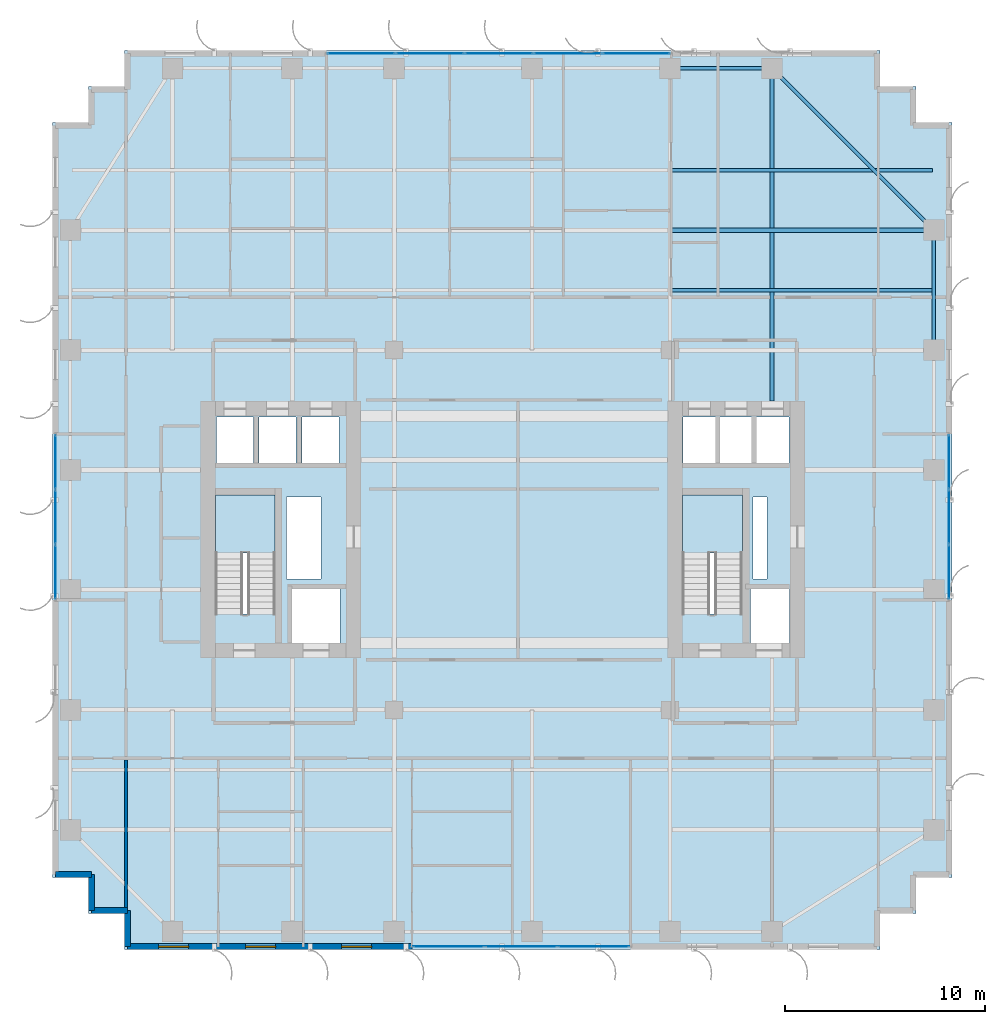
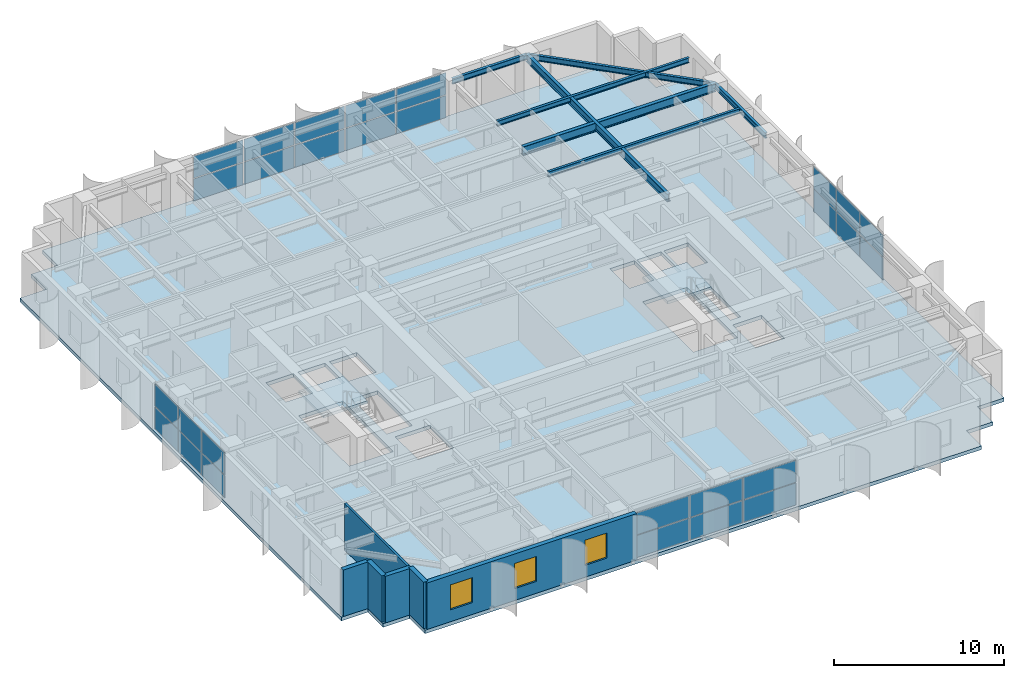
# One storey, part 13 of 21: 28 plates, 7 beams, 6 walls, 3 slabs, 3 windows, 3 openings, 6 elements without a shape of their own.
"""IFC4 building model written with IfcOpenShell, lengths in metres."""

from ifc_helpers import new_model, si_unit, direction, frame, frame_2d, origin, origin_2d, place, context, subcontext, project, spatial, polyline, rectangle, i_section, outline, extrude, source, transform, mapped, material, layer, layer_set, material_profile, profile_set, type_object, element, fill, aggregate, save


model = new_model("IFC4")

# Units and contexts
model_context = context("Model", 3, precision=1e-05, world=origin(), true_north=direction((0.0, 1.0)))
body_context = subcontext(model_context, "Body", "Model", "MODEL_VIEW")
ifc_project = project(units=[si_unit("LENGTHUNIT", "METRE"), si_unit("AREAUNIT", "SQUARE_METRE"), si_unit("VOLUMEUNIT", "CUBIC_METRE"), si_unit("PLANEANGLEUNIT", "RADIAN"), si_unit("MASSUNIT", "GRAM", prefix="KILO")], contexts=[model_context])

# Site, building, storey
site_placement = place(None, origin())
site = spatial("IfcSite", under=ifc_project, at=site_placement, CompositionType="ELEMENT")
building_placement = place(site_placement, origin())
building = spatial("IfcBuilding", under=site, at=building_placement, Name="Khoralis Quay Care Tower", CompositionType="ELEMENT")
storey_placement = place(building_placement, frame((0.0, 0.0, 112.5)))
storey = spatial("IfcBuildingStorey", under=building, at=storey_placement, Name="L29", CompositionType="ELEMENT", Elevation=112.5)

# Beams
ifc_material_1 = material(Name="Steel S355", Category="steel")
ifc_material_profile_1 = material_profile(ifc_material_1, i_section(OverallWidth=0.179931640625, OverallDepth=0.39990234375, WebThickness=0.008544921875, FlangeThickness=0.013427734375, FilletRadius=0.02099609375, at=origin_2d()), Name="Steel S355")
ifc_profile_set_1 = profile_set([ifc_material_profile_1], Name="Steel S355")
beam_type_1 = type_object("IfcBeamType", Name="BM-IPE400", PredefinedType="SPANDREL", material=ifc_profile_set_1)
shared_shape_1 = source(origin(), body_context, "Body", "SweptSolid", [
    extrude(i_section(OverallWidth=0.179931640625, OverallDepth=0.39990234375, WebThickness=0.008544921875, FlangeThickness=0.013427734375, FilletRadius=0.02099609375, at=origin_2d()), origin(), (0.0, 0.0, 1.0), 6.0),
])
beam_1_placement = place(storey_placement, frame((44.10009765625, 30.0, 3.139892578125), z_axis=(0.0, 1.0, 0.0), x_axis=(-1.0, 0.0, 0.0)))
element("IfcBeam", 1, at=beam_1_placement, inside=storey, type_object=beam_type_1, Name="BM-TSP-L29-20", PredefinedType="SPANDREL", context=body_context, shape_type="MappedRepresentation", body=[
    mapped(shared_shape_1, transform((0.0, 0.0, 0.0), scale=1.0)),
])
shared_shape_2 = source(origin(), body_context, "Body", "SweptSolid", [
    extrude(i_section(OverallWidth=0.179931640625, OverallDepth=0.39990234375, WebThickness=0.008544921875, FlangeThickness=0.013427734375, FilletRadius=0.02099609375, at=origin_2d()), origin(), (0.0, 0.0, 1.0), 5.10009765625),
])
beam_2_placement = place(storey_placement, frame((30.89990234375, 44.10009765625, 3.139892578125), z_axis=(1.0, 0.0, 0.0), x_axis=(0.0, 1.0, 0.0)))
element("IfcBeam", 2, at=beam_2_placement, inside=storey, type_object=beam_type_1, Name="BM-TSP-L29-10", PredefinedType="SPANDREL", context=body_context, shape_type="MappedRepresentation", body=[
    mapped(shared_shape_2, transform((0.0, 0.0, 0.0), scale=1.0)),
])
shared_shape_3 = source(origin(), body_context, "Body", "SweptSolid", [
    extrude(i_section(OverallWidth=0.179931640625, OverallDepth=0.39990234375, WebThickness=0.008544921875, FlangeThickness=0.013427734375, FilletRadius=0.02099609375, at=origin_2d()), origin(), (0.0, 0.0, 1.0), 11.455322265625),
])
beam_3_placement = place(storey_placement, frame((36.0, 44.10009765625, 3.139892578125), z_axis=(0.707106781187, -0.707106781187, 0.0), x_axis=(0.707106781187, 0.707106781187, 0.0)))
element("IfcBeam", 3, at=beam_3_placement, inside=storey, type_object=beam_type_1, Name="BM-TCR-L29-24", PredefinedType="SPANDREL", context=body_context, shape_type="MappedRepresentation", body=[
    mapped(shared_shape_3, transform((0.0, 0.0, 0.0), scale=1.0)),
])
ifc_material_profile_2 = material_profile(ifc_material_1, i_section(OverallWidth=0.22998046875, OverallDepth=0.616943359375, WebThickness=0.01318359375, FlangeThickness=0.022216796875, FilletRadius=0.01806640625, at=origin_2d()), Name="Steel S355")
ifc_profile_set_2 = profile_set([ifc_material_profile_2], Name="Steel S355")
beam_type_2 = type_object("IfcBeamType", Name="BM-W610X140", PredefinedType="BEAM", material=ifc_profile_set_2)
shared_shape_4 = source(origin(), body_context, "Body", "SweptSolid", [
    extrude(i_section(OverallWidth=0.22998046875, OverallDepth=0.616943359375, WebThickness=0.01318359375, FlangeThickness=0.022216796875, FilletRadius=0.01806640625, at=origin_2d()), origin(), (0.0, 0.0, 1.0), 13.106201171875),
])
beam_4_placement = place(storey_placement, frame((30.993896484375, 36.0, 3.031494140625), z_axis=(1.0, 0.0, 0.0), x_axis=(0.0, 1.0, 0.0)))
element("IfcBeam", 4, at=beam_4_placement, inside=storey, type_object=beam_type_2, Name="BM-TGXE-L29-360", PredefinedType="BEAM", context=body_context, shape_type="MappedRepresentation", body=[
    mapped(shared_shape_4, transform((0.0, 0.0, 0.0), scale=1.0)),
])
ifc_material_profile_3 = material_profile(ifc_material_1, i_section(OverallWidth=0.2119140625, OverallDepth=0.5439453125, WebThickness=0.01318359375, FlangeThickness=0.021240234375, FilletRadius=0.01611328125, at=origin_2d()), Name="Steel S355")
ifc_profile_set_3 = profile_set([ifc_material_profile_3], Name="Steel S355")
beam_type_3 = type_object("IfcBeamType", Name="BM-W530X123", PredefinedType="BEAM", material=ifc_profile_set_3)
shared_shape_5 = source(origin(), body_context, "Body", "SweptSolid", [
    extrude(i_section(OverallWidth=0.2119140625, OverallDepth=0.5439453125, WebThickness=0.01318359375, FlangeThickness=0.021240234375, FilletRadius=0.01611328125, at=origin_2d()), origin(), (0.0, 0.0, 1.0), 16.652099609375),
])
beam_5_placement = place(storey_placement, frame((36.0, 27.447998046875, 3.068115234375), z_axis=(0.0, 1.0, 0.0), x_axis=(-1.0, 0.0, 0.0)))
element("IfcBeam", 5, at=beam_5_placement, inside=storey, type_object=beam_type_3, Name="BM-TGYN-L29-360", PredefinedType="BEAM", context=body_context, shape_type="MappedRepresentation", body=[
    mapped(shared_shape_5, transform((0.0, 0.0, 0.0), scale=1.0)),
])
ifc_material_profile_4 = material_profile(ifc_material_1, i_section(OverallWidth=0.1708984375, OverallDepth=0.35498046875, WebThickness=0.007080078125, FlangeThickness=0.01171875, FilletRadius=0.012939453125, at=origin_2d()), Name="Steel S355")
ifc_profile_set_4 = profile_set([ifc_material_profile_4], Name="Steel S355")
beam_type_4 = type_object("IfcBeamType", Name="BM-W360X51", PredefinedType="JOIST", material=ifc_profile_set_4)
shared_shape_6 = source(origin(), body_context, "Body", "SweptSolid", [
    extrude(i_section(OverallWidth=0.1708984375, OverallDepth=0.35498046875, WebThickness=0.007080078125, FlangeThickness=0.01171875, FilletRadius=0.012939453125, at=origin_2d()), origin(), (0.0, 0.0, 1.0), 13.030029296875),
])
for number, where, z_axis, x_axis, name in (
    (6, (30.993896484375, 33.0, 3.16259765625), (1.0, 0.0, 0.0), (0.0, 1.0, 0.0), "BM-TJS-L29-29"),
    (7, (30.993896484375, 39.0, 3.16259765625), (1.0, 0.0, 0.0), (0.0, 1.0, 0.0), "BM-TJS-L29-32"),
):
    element("IfcBeam", number, at=place(storey_placement, frame(where, z_axis=z_axis, x_axis=x_axis)), inside=storey, type_object=beam_type_4, Name=name, PredefinedType="JOIST", context=body_context, shape_type="MappedRepresentation", body=[
        mapped(shared_shape_6, transform((0.0, 0.0, 0.0), scale=1.0)),
    ])

# Stair, slab
ifc_material_2 = material(Name="Precast concrete C45/55", Category="concrete")
stair_type = type_object("IfcStairType", Name="ST-TWR-DOGLEG-1400", PredefinedType="HALF_TURN_STAIR", material=ifc_material_2)
stair_1_placement = place(storey_placement, origin())
stair_1 = element("IfcStair", 8, at=stair_1_placement, inside=storey, type_object=stair_type, Name="L29 West Core Exit Stair ST-T1", PredefinedType="HALF_TURN_STAIR")
ifc_layer_1 = layer(ifc_material_2, 0.199951171875)
ifc_layer_set_1 = layer_set([ifc_layer_1], Name="Precast concrete C45/55")
slab_type_1 = type_object("IfcSlabType", Name="SLB-LANDING-200", PredefinedType="LANDING", material=ifc_layer_set_1)
slab_1_placement = place(storey_placement, frame((0.0, 0.0, 1.60009765625)))
slab_1 = element("IfcSlab", 9, at=slab_1_placement, type_object=slab_type_1, Name="ST-T1 landing 1", PredefinedType="LANDING", context=body_context, shape_type="SweptSolid", body=[
    extrude(outline(polyline([(11.14990234375, 19.840087890625), (11.14990234375, 22.75), (8.14990234375, 22.75), (8.14990234375, 19.840087890625), (11.14990234375, 19.840087890625)])), origin(), (0.0, 0.0, 1.0), 0.199951171875),
])
aggregate(stair_1, [slab_1])

stair_2_placement = place(storey_placement, origin())
stair_2 = element("IfcStair", 10, at=stair_2_placement, inside=storey, type_object=stair_type, Name="L29 East Core Exit Stair ST-T2", PredefinedType="HALF_TURN_STAIR")
slab_2_placement = place(storey_placement, frame((0.0, 0.0, 1.60009765625)))
slab_2 = element("IfcSlab", 11, at=slab_2_placement, type_object=slab_type_1, Name="ST-T2 landing 1", PredefinedType="LANDING", context=body_context, shape_type="SweptSolid", body=[
    extrude(outline(polyline([(34.52001953125, 19.840087890625), (34.52001953125, 22.75), (31.52001953125, 22.75), (31.52001953125, 19.840087890625), (34.52001953125, 19.840087890625)])), origin(), (0.0, 0.0, 1.0), 0.199951171875),
])
aggregate(stair_2, [slab_2])

# Slab
ifc_material_3 = material(Name="Concrete C40/50", Category="concrete")
ifc_layer_2 = layer(ifc_material_3, 0.260009765625)
ifc_layer_set_2 = layer_set([ifc_layer_2], Name="Concrete C40/50")
slab_type_2 = type_object("IfcSlabType", Name="SLB-TWR-260", PredefinedType="FLOOR", material=ifc_layer_set_2)
slab_3_placement = place(storey_placement, frame((0.0, 0.0, -0.260009765625)))
element("IfcSlab", 12, at=slab_3_placement, inside=storey, type_object=slab_type_2, Name="Tower Floor Slab L29", PredefinedType="FLOOR", context=body_context, shape_type="SweptSolid", body=[
    extrude(outline(polyline([(3.60009765625, 0.0), (41.39990234375, 0.0), (41.39990234375, 1.800048828125), (43.199951171875, 1.800048828125), (43.199951171875, 3.60009765625), (45.0, 3.60009765625), (45.0, 41.39990234375), (43.199951171875, 41.39990234375), (43.199951171875, 43.199951171875), (41.39990234375, 43.199951171875), (41.39990234375, 45.0), (3.60009765625, 45.0), (3.60009765625, 43.199951171875), (1.800048828125, 43.199951171875), (1.800048828125, 41.39990234375), (0.0, 41.39990234375), (0.0, 3.60009765625), (1.800048828125, 3.60009765625), (1.800048828125, 1.800048828125), (3.60009765625, 1.800048828125), (3.60009765625, 0.0)]), holes=[polyline([(11.14990234375, 16.800048828125), (11.14990234375, 22.75), (8.14990234375, 22.75), (8.14990234375, 16.800048828125), (11.14990234375, 16.800048828125)]), polyline([(34.52001953125, 16.800048828125), (34.52001953125, 22.75), (31.52001953125, 22.75), (31.52001953125, 16.800048828125), (34.52001953125, 16.800048828125)]), polyline([(12.0, 15.35009765625), (14.39990234375, 15.35009765625), (14.39990234375, 18.050048828125), (12.0, 18.050048828125), (12.0, 15.35009765625)]), polyline([(34.919921875, 15.35009765625), (36.8798828125, 15.35009765625), (36.8798828125, 18.050048828125), (34.919921875, 18.050048828125), (34.919921875, 15.35009765625)]), polyline([(8.199951171875, 24.35009765625), (10.050048828125, 24.35009765625), (10.050048828125, 26.64990234375), (8.199951171875, 26.64990234375), (8.199951171875, 24.35009765625)]), polyline([(31.550048828125, 24.35009765625), (33.199951171875, 24.35009765625), (33.199951171875, 26.64990234375), (31.550048828125, 26.64990234375), (31.550048828125, 24.35009765625)]), polyline([(10.35009765625, 24.35009765625), (12.199951171875, 24.35009765625), (12.199951171875, 26.64990234375), (10.35009765625, 26.64990234375), (10.35009765625, 24.35009765625)]), polyline([(33.3798828125, 24.35009765625), (35.030029296875, 24.35009765625), (35.030029296875, 26.64990234375), (33.3798828125, 26.64990234375), (33.3798828125, 24.35009765625)]), polyline([(12.5, 24.35009765625), (14.35009765625, 24.35009765625), (14.35009765625, 26.64990234375), (12.5, 26.64990234375), (12.5, 24.35009765625)]), polyline([(35.199951171875, 24.35009765625), (36.85009765625, 24.35009765625), (36.85009765625, 26.64990234375), (35.199951171875, 26.64990234375), (35.199951171875, 24.35009765625)]), polyline([(11.719970703125, 18.550048828125), (13.449951171875, 18.550048828125), (13.449951171875, 22.64990234375), (11.719970703125, 22.64990234375), (11.719970703125, 18.550048828125)]), polyline([(35.050048828125, 18.550048828125), (35.75, 18.550048828125), (35.75, 22.64990234375), (35.050048828125, 22.64990234375), (35.050048828125, 18.550048828125)])]), origin(), (0.0, 0.0, 1.0), 0.260009765625),
])

# Curtain wall, plates
ifc_material_4 = material(Name="Pale anodised aluminium", Category="aluminium")
ifc_layer_3 = layer(ifc_material_4, 0.169921875)
ifc_layer_set_3 = layer_set([ifc_layer_3], Name="Pale anodised aluminium")
curtain_wall_type = type_object("IfcCurtainWallType", Name="CW-SYS-Z2", PredefinedType="NOTDEFINED", material=ifc_layer_set_3)
curtain_wall_1_placement = place(storey_placement, origin())
curtain_wall_1 = element("IfcCurtainWall", 13, at=curtain_wall_1_placement, inside=storey, type_object=curtain_wall_type, Name="L29 Unitised Curtain Wall CW-L29-P1-E5", PredefinedType="NOTDEFINED")
ifc_material_5 = material(Name="Low-E solar-control double glazing", Category="glass")
ifc_layer_4 = layer(ifc_material_5, 0.031982421875)
ifc_layer_set_4 = layer_set([ifc_layer_4], Name="Low-E solar-control double glazing")
plate_type = type_object("IfcPlateType", Name="PNL-VIS-32", PredefinedType="CURTAIN_PANEL", material=ifc_layer_set_4)
shared_shape_7 = source(origin(), body_context, "Body", "SweptSolid", [
    extrude(rectangle(XDim=2.6767578125, YDim=0.028076171875, at=origin_2d()), origin(), (0.0, 0.0, 1.0), 1.580078125),
])
plate_1_placement = place(storey_placement, frame((44.85009765625, 18.8984375, 0.06005859375), z_axis=(0.0, 0.0, 1.0), x_axis=(0.0, 1.0, 0.0)))
plate_1 = element("IfcPlate", 14, at=plate_1_placement, type_object=plate_type, Name="CW2 panel 1.1", PredefinedType="CURTAIN_PANEL", context=body_context, shape_type="MappedRepresentation", body=[
    mapped(shared_shape_7, transform((0.0, 0.0, 0.0), scale=1.0)),
])
plate_2_placement = place(storey_placement, frame((44.85009765625, 18.8984375, 1.699951171875), z_axis=(0.0, 0.0, 1.0), x_axis=(0.0, 1.0, 0.0)))
plate_2 = element("IfcPlate", 15, at=plate_2_placement, type_object=plate_type, Name="CW2 panel 1.2", PredefinedType="CURTAIN_PANEL", context=body_context, shape_type="MappedRepresentation", body=[
    mapped(shared_shape_7, transform((0.0, 0.0, 0.0), scale=1.0)),
])
plate_3_placement = place(storey_placement, frame((44.85009765625, 24.401611328125, 0.06005859375), z_axis=(0.0, 0.0, 1.0), x_axis=(0.0, 1.0, 0.0)))
plate_3 = element("IfcPlate", 16, at=plate_3_placement, type_object=plate_type, Name="CW2 panel 3.1", PredefinedType="CURTAIN_PANEL", context=body_context, shape_type="MappedRepresentation", body=[
    mapped(shared_shape_7, transform((0.0, 0.0, 0.0), scale=1.0)),
])
plate_4_placement = place(storey_placement, frame((44.85009765625, 24.401611328125, 1.699951171875), z_axis=(0.0, 0.0, 1.0), x_axis=(0.0, 1.0, 0.0)))
plate_4 = element("IfcPlate", 17, at=plate_4_placement, type_object=plate_type, Name="CW2 panel 3.2", PredefinedType="CURTAIN_PANEL", context=body_context, shape_type="MappedRepresentation", body=[
    mapped(shared_shape_7, transform((0.0, 0.0, 0.0), scale=1.0)),
])

curtain_wall_2_placement = place(storey_placement, origin())
curtain_wall_2 = element("IfcCurtainWall", 18, at=curtain_wall_2_placement, inside=storey, type_object=curtain_wall_type, Name="L29 Unitised Curtain Wall CW-L29-P1-E15", PredefinedType="NOTDEFINED")
plate_5_placement = place(storey_placement, frame((0.14990234375, 24.401611328125, 0.06005859375), z_axis=(0.0, 0.0, 1.0), x_axis=(0.0, -1.0, 0.0)))
plate_5 = element("IfcPlate", 19, at=plate_5_placement, type_object=plate_type, Name="CW2 panel 1.1", PredefinedType="CURTAIN_PANEL", context=body_context, shape_type="MappedRepresentation", body=[
    mapped(shared_shape_7, transform((0.0, 0.0, 0.0), scale=1.0)),
])
plate_6_placement = place(storey_placement, frame((0.14990234375, 24.401611328125, 1.699951171875), z_axis=(0.0, 0.0, 1.0), x_axis=(0.0, -1.0, 0.0)))
plate_6 = element("IfcPlate", 20, at=plate_6_placement, type_object=plate_type, Name="CW2 panel 1.2", PredefinedType="CURTAIN_PANEL", context=body_context, shape_type="MappedRepresentation", body=[
    mapped(shared_shape_7, transform((0.0, 0.0, 0.0), scale=1.0)),
])
plate_7_placement = place(storey_placement, frame((0.14990234375, 18.8984375, 0.06005859375), z_axis=(0.0, 0.0, 1.0), x_axis=(0.0, -1.0, 0.0)))
plate_7 = element("IfcPlate", 21, at=plate_7_placement, type_object=plate_type, Name="CW2 panel 3.1", PredefinedType="CURTAIN_PANEL", context=body_context, shape_type="MappedRepresentation", body=[
    mapped(shared_shape_7, transform((0.0, 0.0, 0.0), scale=1.0)),
])
plate_8_placement = place(storey_placement, frame((0.14990234375, 18.8984375, 1.699951171875), z_axis=(0.0, 0.0, 1.0), x_axis=(0.0, -1.0, 0.0)))
plate_8 = element("IfcPlate", 22, at=plate_8_placement, type_object=plate_type, Name="CW2 panel 3.2", PredefinedType="CURTAIN_PANEL", context=body_context, shape_type="MappedRepresentation", body=[
    mapped(shared_shape_7, transform((0.0, 0.0, 0.0), scale=1.0)),
])

# Plate
shared_shape_8 = source(origin(), body_context, "Body", "SweptSolid", [
    extrude(rectangle(XDim=2.706787109375, YDim=0.028076171875, at=origin_2d()), origin(), (0.0, 0.0, 1.0), 1.580078125),
])
plate_9_placement = place(storey_placement, frame((44.85009765625, 21.64990234375, 0.06005859375), z_axis=(0.0, 0.0, 1.0), x_axis=(0.0, 1.0, 0.0)))
plate_9 = element("IfcPlate", 23, at=plate_9_placement, type_object=plate_type, Name="CW2 panel 2.1", PredefinedType="CURTAIN_PANEL", context=body_context, shape_type="MappedRepresentation", body=[
    mapped(shared_shape_8, transform((0.0, 0.0, 0.0), scale=1.0)),
])

plate_10_placement = place(storey_placement, frame((44.85009765625, 21.64990234375, 1.699951171875), z_axis=(0.0, 0.0, 1.0), x_axis=(0.0, 1.0, 0.0)))
plate_10 = element("IfcPlate", 24, at=plate_10_placement, type_object=plate_type, Name="CW2 panel 2.2", PredefinedType="CURTAIN_PANEL", context=body_context, shape_type="MappedRepresentation", body=[
    mapped(shared_shape_8, transform((0.0, 0.0, 0.0), scale=1.0)),
])

aggregate(curtain_wall_1, [plate_1, plate_2, plate_9, plate_10, plate_3, plate_4])

plate_11_placement = place(storey_placement, frame((0.14990234375, 21.64990234375, 0.06005859375), z_axis=(0.0, 0.0, 1.0), x_axis=(0.0, -1.0, 0.0)))
plate_11 = element("IfcPlate", 25, at=plate_11_placement, type_object=plate_type, Name="CW2 panel 2.1", PredefinedType="CURTAIN_PANEL", context=body_context, shape_type="MappedRepresentation", body=[
    mapped(shared_shape_8, transform((0.0, 0.0, 0.0), scale=1.0)),
])

plate_12_placement = place(storey_placement, frame((0.14990234375, 21.64990234375, 1.699951171875), z_axis=(0.0, 0.0, 1.0), x_axis=(0.0, -1.0, 0.0)))
plate_12 = element("IfcPlate", 26, at=plate_12_placement, type_object=plate_type, Name="CW2 panel 2.2", PredefinedType="CURTAIN_PANEL", context=body_context, shape_type="MappedRepresentation", body=[
    mapped(shared_shape_8, transform((0.0, 0.0, 0.0), scale=1.0)),
])

aggregate(curtain_wall_2, [plate_5, plate_6, plate_11, plate_12, plate_7, plate_8])

# Curtain wall, plates
curtain_wall_3_placement = place(storey_placement, origin())
curtain_wall_3 = element("IfcCurtainWall", 27, at=curtain_wall_3_placement, inside=storey, type_object=curtain_wall_type, Name="L29 Unitised Curtain Wall CW-L29-P1-E0", PredefinedType="NOTDEFINED")
shared_shape_9 = source(origin(), body_context, "Body", "SweptSolid", [
    extrude(rectangle(XDim=3.5537109375, YDim=0.028076171875, at=origin_2d()), origin(), (0.0, 0.0, 1.0), 1.580078125),
])
plate_13_placement = place(storey_placement, frame((19.825927734375, 0.14990234375, 0.06005859375), z_axis=(0.0, 0.0, 1.0), x_axis=(1.0, 0.0, 0.0)))
plate_13 = element("IfcPlate", 28, at=plate_13_placement, type_object=plate_type, Name="CW2 panel 1.1", PredefinedType="CURTAIN_PANEL", context=body_context, shape_type="MappedRepresentation", body=[
    mapped(shared_shape_9, transform((0.0, 0.0, 0.0), scale=1.0)),
])
plate_14_placement = place(storey_placement, frame((19.825927734375, 0.14990234375, 1.699951171875), z_axis=(0.0, 0.0, 1.0), x_axis=(1.0, 0.0, 0.0)))
plate_14 = element("IfcPlate", 29, at=plate_14_placement, type_object=plate_type, Name="CW2 panel 1.2", PredefinedType="CURTAIN_PANEL", context=body_context, shape_type="MappedRepresentation", body=[
    mapped(shared_shape_9, transform((0.0, 0.0, 0.0), scale=1.0)),
])
plate_15_placement = place(storey_placement, frame((27.083251953125, 0.14990234375, 0.06005859375), z_axis=(0.0, 0.0, 1.0), x_axis=(1.0, 0.0, 0.0)))
plate_15 = element("IfcPlate", 30, at=plate_15_placement, type_object=plate_type, Name="CW2 panel 3.1", PredefinedType="CURTAIN_PANEL", context=body_context, shape_type="MappedRepresentation", body=[
    mapped(shared_shape_9, transform((0.0, 0.0, 0.0), scale=1.0)),
])
plate_16_placement = place(storey_placement, frame((27.083251953125, 0.14990234375, 1.699951171875), z_axis=(0.0, 0.0, 1.0), x_axis=(1.0, 0.0, 0.0)))
plate_16 = element("IfcPlate", 31, at=plate_16_placement, type_object=plate_type, Name="CW2 panel 3.2", PredefinedType="CURTAIN_PANEL", context=body_context, shape_type="MappedRepresentation", body=[
    mapped(shared_shape_9, transform((0.0, 0.0, 0.0), scale=1.0)),
])
shared_shape_10 = source(origin(), body_context, "Body", "SweptSolid", [
    extrude(rectangle(XDim=3.583740234375, YDim=0.028076171875, at=origin_2d()), origin(), (0.0, 0.0, 1.0), 1.580078125),
])
plate_17_placement = place(storey_placement, frame((23.45458984375, 0.14990234375, 0.06005859375), z_axis=(0.0, 0.0, 1.0), x_axis=(1.0, 0.0, 0.0)))
plate_17 = element("IfcPlate", 32, at=plate_17_placement, type_object=plate_type, Name="CW2 panel 2.1", PredefinedType="CURTAIN_PANEL", context=body_context, shape_type="MappedRepresentation", body=[
    mapped(shared_shape_10, transform((0.0, 0.0, 0.0), scale=1.0)),
])
plate_18_placement = place(storey_placement, frame((23.45458984375, 0.14990234375, 1.699951171875), z_axis=(0.0, 0.0, 1.0), x_axis=(1.0, 0.0, 0.0)))
plate_18 = element("IfcPlate", 33, at=plate_18_placement, type_object=plate_type, Name="CW2 panel 2.2", PredefinedType="CURTAIN_PANEL", context=body_context, shape_type="MappedRepresentation", body=[
    mapped(shared_shape_10, transform((0.0, 0.0, 0.0), scale=1.0)),
])
aggregate(curtain_wall_3, [plate_13, plate_14, plate_17, plate_18, plate_15, plate_16])

curtain_wall_4_placement = place(storey_placement, origin())
curtain_wall_4 = element("IfcCurtainWall", 34, at=curtain_wall_4_placement, inside=storey, type_object=curtain_wall_type, Name="L29 Unitised Curtain Wall CW-L29-P1-E10", PredefinedType="NOTDEFINED")
shared_shape_11 = source(origin(), body_context, "Body", "SweptSolid", [
    extrude(rectangle(XDim=3.35791015625, YDim=0.028076171875, at=origin_2d()), origin(), (0.0, 0.0, 1.0), 1.580078125),
])
plate_19_placement = place(storey_placement, frame((29.220947265625, 44.85009765625, 0.06005859375), z_axis=(0.0, 0.0, 1.0), x_axis=(-1.0, 0.0, 0.0)))
plate_19 = element("IfcPlate", 35, at=plate_19_placement, type_object=plate_type, Name="CW2 panel 1.1", PredefinedType="CURTAIN_PANEL", context=body_context, shape_type="MappedRepresentation", body=[
    mapped(shared_shape_11, transform((0.0, 0.0, 0.0), scale=1.0)),
])
plate_20_placement = place(storey_placement, frame((29.220947265625, 44.85009765625, 1.699951171875), z_axis=(0.0, 0.0, 1.0), x_axis=(-1.0, 0.0, 0.0)))
plate_20 = element("IfcPlate", 36, at=plate_20_placement, type_object=plate_type, Name="CW2 panel 1.2", PredefinedType="CURTAIN_PANEL", context=body_context, shape_type="MappedRepresentation", body=[
    mapped(shared_shape_11, transform((0.0, 0.0, 0.0), scale=1.0)),
])
plate_21_placement = place(storey_placement, frame((15.458984375, 44.85009765625, 0.06005859375), z_axis=(0.0, 0.0, 1.0), x_axis=(-1.0, 0.0, 0.0)))
plate_21 = element("IfcPlate", 37, at=plate_21_placement, type_object=plate_type, Name="CW2 panel 5.1", PredefinedType="CURTAIN_PANEL", context=body_context, shape_type="MappedRepresentation", body=[
    mapped(shared_shape_11, transform((0.0, 0.0, 0.0), scale=1.0)),
])
plate_22_placement = place(storey_placement, frame((15.458984375, 44.85009765625, 1.699951171875), z_axis=(0.0, 0.0, 1.0), x_axis=(-1.0, 0.0, 0.0)))
plate_22 = element("IfcPlate", 38, at=plate_22_placement, type_object=plate_type, Name="CW2 panel 5.2", PredefinedType="CURTAIN_PANEL", context=body_context, shape_type="MappedRepresentation", body=[
    mapped(shared_shape_11, transform((0.0, 0.0, 0.0), scale=1.0)),
])
shared_shape_12 = source(origin(), body_context, "Body", "SweptSolid", [
    extrude(rectangle(XDim=3.387939453125, YDim=0.028076171875, at=origin_2d()), origin(), (0.0, 0.0, 1.0), 1.580078125),
])
plate_23_placement = place(storey_placement, frame((25.7880859375, 44.85009765625, 0.06005859375), z_axis=(0.0, 0.0, 1.0), x_axis=(-1.0, 0.0, 0.0)))
plate_23 = element("IfcPlate", 39, at=plate_23_placement, type_object=plate_type, Name="CW2 panel 2.1", PredefinedType="CURTAIN_PANEL", context=body_context, shape_type="MappedRepresentation", body=[
    mapped(shared_shape_12, transform((0.0, 0.0, 0.0), scale=1.0)),
])
plate_24_placement = place(storey_placement, frame((25.7880859375, 44.85009765625, 1.699951171875), z_axis=(0.0, 0.0, 1.0), x_axis=(-1.0, 0.0, 0.0)))
plate_24 = element("IfcPlate", 40, at=plate_24_placement, type_object=plate_type, Name="CW2 panel 2.2", PredefinedType="CURTAIN_PANEL", context=body_context, shape_type="MappedRepresentation", body=[
    mapped(shared_shape_12, transform((0.0, 0.0, 0.0), scale=1.0)),
])
plate_25_placement = place(storey_placement, frame((22.340087890625, 44.85009765625, 0.06005859375), z_axis=(0.0, 0.0, 1.0), x_axis=(-1.0, 0.0, 0.0)))
plate_25 = element("IfcPlate", 41, at=plate_25_placement, type_object=plate_type, Name="CW2 panel 3.1", PredefinedType="CURTAIN_PANEL", context=body_context, shape_type="MappedRepresentation", body=[
    mapped(shared_shape_12, transform((0.0, 0.0, 0.0), scale=1.0)),
])
plate_26_placement = place(storey_placement, frame((22.340087890625, 44.85009765625, 1.699951171875), z_axis=(0.0, 0.0, 1.0), x_axis=(-1.0, 0.0, 0.0)))
plate_26 = element("IfcPlate", 42, at=plate_26_placement, type_object=plate_type, Name="CW2 panel 3.2", PredefinedType="CURTAIN_PANEL", context=body_context, shape_type="MappedRepresentation", body=[
    mapped(shared_shape_12, transform((0.0, 0.0, 0.0), scale=1.0)),
])
plate_27_placement = place(storey_placement, frame((18.89208984375, 44.85009765625, 0.06005859375), z_axis=(0.0, 0.0, 1.0), x_axis=(-1.0, 0.0, 0.0)))
plate_27 = element("IfcPlate", 43, at=plate_27_placement, type_object=plate_type, Name="CW2 panel 4.1", PredefinedType="CURTAIN_PANEL", context=body_context, shape_type="MappedRepresentation", body=[
    mapped(shared_shape_12, transform((0.0, 0.0, 0.0), scale=1.0)),
])
plate_28_placement = place(storey_placement, frame((18.89208984375, 44.85009765625, 1.699951171875), z_axis=(0.0, 0.0, 1.0), x_axis=(-1.0, 0.0, 0.0)))
plate_28 = element("IfcPlate", 44, at=plate_28_placement, type_object=plate_type, Name="CW2 panel 4.2", PredefinedType="CURTAIN_PANEL", context=body_context, shape_type="MappedRepresentation", body=[
    mapped(shared_shape_12, transform((0.0, 0.0, 0.0), scale=1.0)),
])
aggregate(curtain_wall_4, [plate_19, plate_20, plate_23, plate_24, plate_25, plate_26, plate_27, plate_28, plate_21, plate_22])

# Wall, openings, windows
ifc_layer_5 = layer(ifc_material_2, 0.300048828125)
ifc_layer_set_5 = layer_set([ifc_layer_5], Name="Precast concrete C45/55")
wall_type_1 = type_object("IfcWallType", Name="WL-EXT-REF-300", PredefinedType="SOLIDWALL", material=ifc_layer_set_5)
wall_1_placement = place(storey_placement, frame((3.75, 0.14990234375, 0.0), z_axis=(0.0, 0.0, 1.0), x_axis=(1.0, 0.0, 0.0)))
wall_1 = element("IfcWall", 45, at=wall_1_placement, inside=storey, type_object=wall_type_1, Name="L29 External Facade Wall WL-EXT-L29-P1-E0A", PredefinedType="SOLIDWALL", context=body_context, shape_type="SweptSolid", body=[
    extrude(rectangle(XDim=14.239013671875, YDim=0.300048828125, at=frame_2d((7.11962890625, 0.0))), origin(), (0.0, 0.0, 1.0), 3.340087890625),
])
opening_1_placement = place(wall_1_placement, frame((1.571044921875, 0.0, 0.85009765625)))
opening_1 = element("IfcOpeningElement", 46, at=opening_1_placement, cuts=wall_1, Name="Opening W3", PredefinedType="OPENING", context=body_context, shape_type="SweptSolid", body=[
    extrude(rectangle(XDim=1.5, YDim=1.800048828125, at=frame_2d((0.75, 0.89990234375))), frame((0.0, 0.16015625, 0.0), z_axis=(0.0, -1.0, 0.0), x_axis=(1.0, 0.0, 0.0)), (0.0, 0.0, 1.0), 0.320068359375),
])
opening_2_placement = place(wall_1_placement, frame((5.9208984375, 0.0, 0.85009765625)))
opening_2 = element("IfcOpeningElement", 47, at=opening_2_placement, cuts=wall_1, Name="Opening W3", PredefinedType="OPENING", context=body_context, shape_type="SweptSolid", body=[
    extrude(rectangle(XDim=1.5, YDim=1.800048828125, at=frame_2d((0.75, 0.89990234375))), frame((0.0, 0.16015625, 0.0), z_axis=(0.0, -1.0, 0.0), x_axis=(1.0, 0.0, 0.0)), (0.0, 0.0, 1.0), 0.320068359375),
])
opening_3_placement = place(wall_1_placement, frame((10.719482421875, 0.0, 0.85009765625)))
opening_3 = element("IfcOpeningElement", 48, at=opening_3_placement, cuts=wall_1, Name="Opening W3", PredefinedType="OPENING", context=body_context, shape_type="SweptSolid", body=[
    extrude(rectangle(XDim=1.5, YDim=1.800048828125, at=frame_2d((0.75, 0.89990234375))), frame((0.0, 0.16015625, 0.0), z_axis=(0.0, -1.0, 0.0), x_axis=(1.0, 0.0, 0.0)), (0.0, 0.0, 1.0), 0.320068359375),
])
window_type = type_object("IfcWindowType", Name="WN-CLIN-1500X1800", PartitioningType="SINGLE_PANEL", PredefinedType="WINDOW", material=ifc_material_5)
shared_shape_13 = source(origin(), body_context, "Body", "SweptSolid", [
    extrude(rectangle(XDim=1.5, YDim=1.800048828125, at=frame_2d((0.75, 0.89990234375))), frame((0.0, 0.030029296875, 0.0), z_axis=(0.0, -1.0, 0.0), x_axis=(1.0, 0.0, 0.0)), (0.0, 0.0, 1.0), 0.06005859375),
])
window_1_placement = place(opening_1_placement, origin())
window_1 = element("IfcWindow", 49, at=window_1_placement, inside=storey, type_object=window_type, Name="WN-L29-P1-E0A Facade Window 01", OverallHeight=1.800048828125, OverallWidth=1.5, PartitioningType="SINGLE_PANEL", PredefinedType="WINDOW", context=body_context, shape_type="MappedRepresentation", body=[
    mapped(shared_shape_13, transform((0.0, 0.0, 0.0), scale=1.0)),
])
fill(opening_1, window_1)
window_2_placement = place(opening_2_placement, origin())
window_2 = element("IfcWindow", 50, at=window_2_placement, inside=storey, type_object=window_type, Name="WN-L29-P1-E0A Facade Window 02", OverallHeight=1.800048828125, OverallWidth=1.5, PartitioningType="SINGLE_PANEL", PredefinedType="WINDOW", context=body_context, shape_type="MappedRepresentation", body=[
    mapped(shared_shape_13, transform((0.0, 0.0, 0.0), scale=1.0)),
])
fill(opening_2, window_2)
window_3_placement = place(opening_3_placement, origin())
window_3 = element("IfcWindow", 51, at=window_3_placement, inside=storey, type_object=window_type, Name="WN-L29-P1-E0A Facade Window 03", OverallHeight=1.800048828125, OverallWidth=1.5, PartitioningType="SINGLE_PANEL", PredefinedType="WINDOW", context=body_context, shape_type="MappedRepresentation", body=[
    mapped(shared_shape_13, transform((0.0, 0.0, 0.0), scale=1.0)),
])
fill(opening_3, window_3)

# Walls
for number, where, z_axis, x_axis, name in (
    (52, (0.14990234375, 3.75, 0.0), (0.0, 0.0, 1.0), (1.0, 0.0, 0.0), "L29 External Facade Wall WL-EXT-L29-P1-C16"),
    (53, (1.949951171875, 3.75, 0.0), (0.0, 0.0, 1.0), (0.0, -1.0, 0.0), "L29 External Facade Wall WL-EXT-L29-P1-C17"),
    (54, (1.949951171875, 1.949951171875, 0.0), (0.0, 0.0, 1.0), (1.0, 0.0, 0.0), "L29 External Facade Wall WL-EXT-L29-P1-C18"),
    (55, (3.75, 1.949951171875, 0.0), (0.0, 0.0, 1.0), (0.0, -1.0, 0.0), "L29 External Facade Wall WL-EXT-L29-P1-C19"),
):
    element("IfcWall", number, at=place(storey_placement, frame(where, z_axis=z_axis, x_axis=x_axis)), inside=storey, type_object=wall_type_1, Name=name, PredefinedType="SOLIDWALL", context=body_context, shape_type="SweptSolid", body=[
        extrude(rectangle(XDim=1.800048828125, YDim=0.300048828125, at=frame_2d((0.89990234375, 0.0))), origin(), (0.0, 0.0, 1.0), 3.340087890625),
    ])
ifc_material_6 = material(Name="Gypsum plasterboard on acoustic metal stud")
ifc_layer_6 = layer(ifc_material_6, 0.139892578125)
ifc_layer_set_6 = layer_set([ifc_layer_6], Name="Gypsum plasterboard on acoustic metal stud")
wall_type_2 = type_object("IfcWallType", Name="WL-UNIT-140", PredefinedType="PARTITIONING", material=ifc_layer_set_6)
wall_2_placement = place(storey_placement, frame((3.679931640625, 1.945068359375, 0.0), z_axis=(0.0, 0.0, 1.0), x_axis=(0.0, 1.0, 0.0)))
element("IfcWall", 56, at=wall_2_placement, inside=storey, type_object=wall_type_2, Name="L29 SB Demising Wall 0", PredefinedType="PARTITIONING", context=body_context, shape_type="SweptSolid", body=[
    extrude(rectangle(XDim=7.557373046875, YDim=0.139892578125, at=frame_2d((3.77880859375, 0.0))), origin(), (0.0, 0.0, 1.0), 3.340087890625),
])

save(model, "model.ifc")
